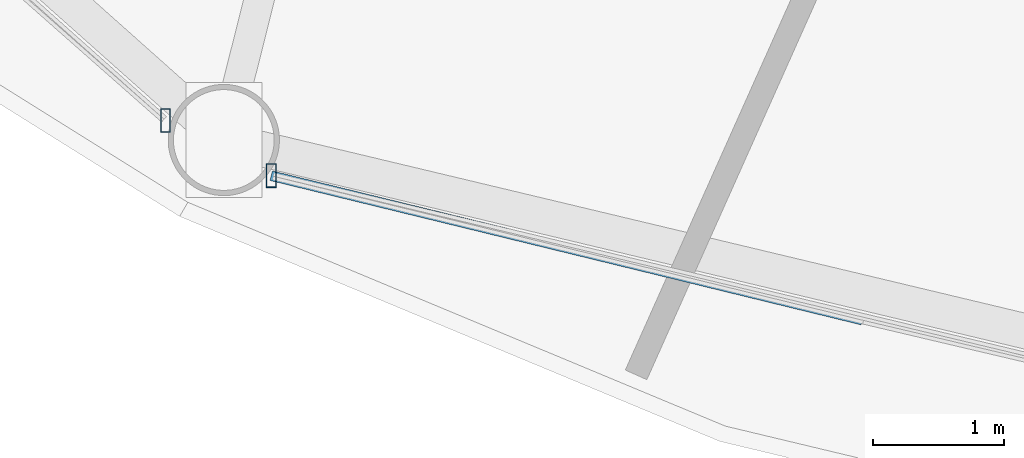
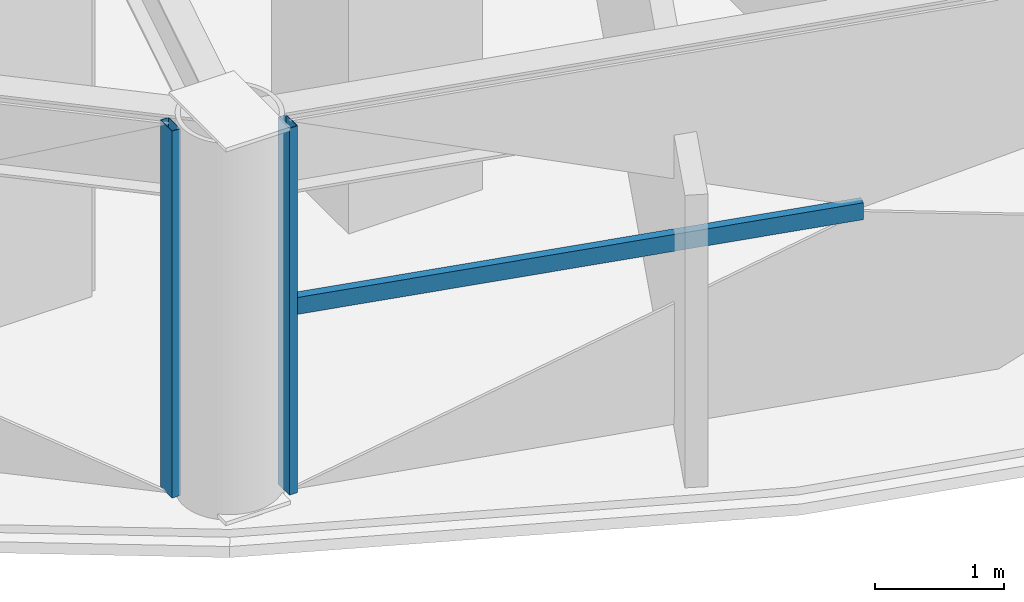
# One storey, part 2 of 31: 3 members, 2 elements without a shape of their own.
"""IFC4 building model written with IfcOpenShell, lengths in metres."""

import ifcopenshell
import ifcopenshell.guid

model = None  # the IFC model being written
_history = None  # IfcOwnerHistory: only IFC2X3 demands one
_inside = {}  # id of a spatial element -> (the spatial element, [elements in it])
_under = {}  # id of a project, library or spatial element -> (it, [spatial elements below it])
_declared = {}  # id of a project -> (the project, [libraries it declares])
_typed = {}  # id of a type object -> (the type object, [elements of that type])
_made_of = {}  # id of a material, layer set ... -> (it, [elements and type objects made of it])


def new_model(schema):
    """Start an empty IFC model of exactly this schema.

    Asked for "IFC4X3", IfcOpenShell would pick the latest addendum, in which some entities
    have other attributes; the version numbers below select the first issue.
    IFC2X3 requires an IfcOwnerHistory on every rooted entity: one is made here for all.
    """
    global model, _history
    if schema == "IFC4X3":
        model = ifcopenshell.file(schema_version=(4, 3, 0, 0))
    else:
        model = ifcopenshell.file(schema=schema)
    _inside.clear()
    _under.clear()
    _declared.clear()
    _typed.clear()
    _made_of.clear()
    _history = None
    if model.schema == "IFC2X3":
        org = make("IfcOrganization", Name="unknown")
        user = make(
            "IfcPersonAndOrganization",
            ThePerson=make("IfcPerson", FamilyName="unknown"),
            TheOrganization=org,
        )
        app = make(
            "IfcApplication",
            ApplicationDeveloper=org,
            Version="unknown",
            ApplicationFullName="unknown",
            ApplicationIdentifier="unknown",
        )
        _history = make(
            "IfcOwnerHistory",
            OwningUser=user,
            OwningApplication=app,
            ChangeAction="ADDED",
            CreationDate=0,
        )
    return model


def make(cls, **values):
    """One entity of the class cls with the attributes given. An attribute that is None is left unset."""
    return model.create_entity(
        cls, **{name: value for name, value in values.items() if value is not None}
    )


def rooted(cls, **values):
    """An entity with a GlobalId (a new one), such as an element, a storey or a relation."""
    return make(cls, GlobalId=ifcopenshell.guid.new(), OwnerHistory=_history, **values)


def si_unit(unit_type, name, prefix=None):
    """IfcSIUnit, for example si_unit("LENGTHUNIT", "METRE", prefix="MILLI")."""
    return make("IfcSIUnit", UnitType=unit_type, Prefix=prefix, Name=name)


def assignment(units):
    """IfcUnitAssignment: the units of a project."""
    return None if units is None else make("IfcUnitAssignment", Units=units)


def point(xyz):
    """IfcCartesianPoint."""
    return None if xyz is None else make("IfcCartesianPoint", Coordinates=xyz)


def direction(xyz):
    """IfcDirection."""
    return None if xyz is None else make("IfcDirection", DirectionRatios=xyz)


def frame(location, z_axis=None, x_axis=None):
    """IfcAxis2Placement3D, a coordinate frame: its origin and axes. An axis left out is left unset."""
    return make(
        "IfcAxis2Placement3D",
        Location=point(location),
        Axis=direction(z_axis),
        RefDirection=direction(x_axis),
    )


def frame_2d(location, x_axis=None):
    """IfcAxis2Placement2D, a coordinate frame in the plane: its origin and x axis."""
    return make(
        "IfcAxis2Placement2D", Location=point(location), RefDirection=direction(x_axis)
    )


def origin():
    """The frame at (0, 0, 0) with its axes left unset."""
    return frame((0.0, 0.0, 0.0))


def origin_2d():
    """The frame at (0, 0) in the plane with its x axis left unset."""
    return frame_2d((0.0, 0.0))


def place(relative_to, where):
    """IfcLocalPlacement: puts the frame where relative to a parent placement (None: the world)."""
    return make(
        "IfcLocalPlacement", PlacementRelTo=relative_to, RelativePlacement=where
    )


def context(
    kind, dimensions, precision=None, world=None, true_north=None, identifier=None
):
    """IfcGeometricRepresentationContext, for example the 3D "Model" context."""
    return make(
        "IfcGeometricRepresentationContext",
        ContextIdentifier=identifier,
        ContextType=kind,
        CoordinateSpaceDimension=dimensions,
        Precision=precision,
        WorldCoordinateSystem=world,
        TrueNorth=true_north,
    )


def subcontext(parent, identifier, kind, view, scale=None):
    """IfcGeometricRepresentationSubContext, for example "Body" below "Model"."""
    return make(
        "IfcGeometricRepresentationSubContext",
        ContextIdentifier=identifier,
        ContextType=kind,
        ParentContext=parent,
        TargetScale=scale,
        TargetView=view,
    )


def project(units=None, contexts=None):
    """IfcProject with its units and contexts."""
    return rooted(
        "IfcProject",
        Name="project",
        RepresentationContexts=contexts,
        UnitsInContext=assignment(units),
    )


def spatial(cls, under=None, at=None, **own):
    """A site, building, storey or space (cls), placed at a placement, below another one or the project."""
    s = rooted(cls, ObjectPlacement=at, **own)
    if under is not None:
        _under.setdefault(under.id(), (under, []))[1].append(s)
    return s


def profile(cls, at=None, kind="AREA", **sizes):
    """A parametric profile (cls). Its sizes go by their IFC names, for example OverallWidth=200.0."""
    return make(cls, ProfileType=kind, Position=at, **sizes)


def hollow_rectangle(**sizes):
    """IfcRectangleHollowProfileDef."""
    return profile("IfcRectangleHollowProfileDef", **sizes)


def extrude(swept, where, along, depth):
    """IfcExtrudedAreaSolid: the profile swept, set in the frame where, extruded along a direction by depth."""
    return make(
        "IfcExtrudedAreaSolid",
        SweptArea=swept,
        Position=where,
        ExtrudedDirection=direction(along),
        Depth=depth,
    )


def shape(context_of_items, identifier, shape_type, items):
    """IfcShapeRepresentation: the items that make up one representation, for example the "Body"."""
    return make(
        "IfcShapeRepresentation",
        ContextOfItems=context_of_items,
        RepresentationIdentifier=identifier,
        RepresentationType=shape_type,
        Items=items,
    )


def material(Name=None, Category=None):
    """IfcMaterial."""
    return make("IfcMaterial", Name=Name, Category=Category)


def layer(
    of_material, thickness, ventilated=None, Name=None, Category=None, Priority=None
):
    """IfcMaterialLayer: one layer of a wall or slab, of a material (None: an air gap)."""
    return make(
        "IfcMaterialLayer",
        Material=of_material,
        LayerThickness=thickness,
        IsVentilated=ventilated,
        Name=Name,
        Category=Category,
        Priority=Priority,
    )


def layer_set(layers, Name=None):
    """IfcMaterialLayerSet."""
    return make("IfcMaterialLayerSet", MaterialLayers=layers, LayerSetName=Name)


def material_profile(
    of_material, cross_section, Name=None, Category=None, Priority=None
):
    """IfcMaterialProfile: a cross section and its material."""
    return make(
        "IfcMaterialProfile",
        Name=Name,
        Material=of_material,
        Profile=cross_section,
        Priority=Priority,
        Category=Category,
    )


def profile_set(profiles, Name=None, composite=None):
    """IfcMaterialProfileSet."""
    return make(
        "IfcMaterialProfileSet",
        Name=Name,
        MaterialProfiles=profiles,
        CompositeProfile=composite,
    )


def made_of(thing, what):
    """Note that an element or type object is made of a material, layer set ...; save() writes the relation."""
    if what is not None:
        _made_of.setdefault(what.id(), (what, []))[1].append(thing)
    return thing


def type_object(cls, material=None, **own):
    """A type object (cls), such as IfcWallType, which elements share."""
    return made_of(rooted(cls, **own), material)


def element(
    cls,
    number,
    at=None,
    inside=None,
    cuts=None,
    type_object=None,
    material=None,
    context=None,
    identifier="Body",
    shape_type=None,
    held_by="IfcProductDefinitionShape",
    body=None,
    shapes=None,
    **own,
):
    """One element of the class cls, such as IfcWall. Its Tag is "e" and its number.

    at: its placement. inside: the storey or other place that contains it. cuts: it is an
    opening in that element (IfcRelVoidsElement). A single representation is given by context,
    identifier, shape_type and body (its items); several are given by shapes. held_by: the class
    of the entity that holds the representations. save() writes the other relations.
    """
    e = rooted(cls, Tag="e%d" % number, ObjectPlacement=at, **own)
    if body is not None:
        shapes = [shape(context, identifier, shape_type, body)]
    if shapes is not None:
        e.Representation = make(held_by, Representations=shapes)
    if inside is not None:
        _inside.setdefault(inside.id(), (inside, []))[1].append(e)
    if cuts is not None:
        rooted(
            "IfcRelVoidsElement", RelatingBuildingElement=cuts, RelatedOpeningElement=e
        )
    if type_object is not None:
        _typed.setdefault(type_object.id(), (type_object, []))[1].append(e)
    return made_of(e, material)


def aggregate(whole, parts):
    """IfcRelAggregates: a whole, such as a stair, and the parts it consists of."""
    return rooted("IfcRelAggregates", RelatingObject=whole, RelatedObjects=parts)


def save(model, path):
    """Write the relations noted so far, then the file.

    IfcRelAggregates (storeys below a building ...), IfcRelContainedInSpatialStructure (elements
    in a storey), IfcRelDefinesByType, IfcRelAssociatesMaterial and IfcRelDeclares: one each for
    every whole, place, type object, material and project.
    """
    for whole, parts in _under.values():
        aggregate(whole, parts)
    for where, things in _inside.values():
        rooted(
            "IfcRelContainedInSpatialStructure",
            RelatedElements=things,
            RelatingStructure=where,
        )
    for kind, things in _typed.values():
        rooted("IfcRelDefinesByType", RelatedObjects=things, RelatingType=kind)
    for what, things in _made_of.values():
        rooted("IfcRelAssociatesMaterial", RelatedObjects=things, RelatingMaterial=what)
    for by, libraries in _declared.values():
        rooted("IfcRelDeclares", RelatingContext=by, RelatedDefinitions=libraries)
    model.write(path)


model = new_model("IFC4")

# Units and contexts
model_context = context("Model", 3, precision=1e-05, world=origin(), true_north=direction((0.0, 1.0)))
body_context = subcontext(model_context, "Body", "Model", "MODEL_VIEW")
ifc_project = project(units=[si_unit("LENGTHUNIT", "METRE"), si_unit("AREAUNIT", "SQUARE_METRE"), si_unit("VOLUMEUNIT", "CUBIC_METRE"), si_unit("PLANEANGLEUNIT", "RADIAN"), si_unit("MASSUNIT", "GRAM", prefix="KILO")], contexts=[model_context])

# Site, building, storey
site_placement = place(None, origin())
site = spatial("IfcSite", under=ifc_project, at=site_placement, CompositionType="ELEMENT")
building_placement = place(site_placement, origin())
building = spatial("IfcBuilding", under=site, at=building_placement, Name="Vantalir Tower", CompositionType="ELEMENT")
storey_placement = place(building_placement, frame((0.0, 0.0, 30.75)))
storey = spatial("IfcBuildingStorey", under=building, at=storey_placement, Name="L06", CompositionType="ELEMENT", Elevation=30.75)

# Curtain wall, member
ifc_material_1 = material(Name="Champagne-silver PVDF aluminium and double-silver Low-E glass", Category="aluminium")
ifc_layer = layer(ifc_material_1, 0.18994140625)
ifc_layer_set = layer_set([ifc_layer], Name="Champagne-silver PVDF aluminium and double-silver Low-E glass")
curtain_wall_type = type_object("IfcCurtainWallType", Name="CW-DIAMOND-Z1", PredefinedType="USERDEFINED", material=ifc_layer_set)
curtain_wall_1_placement = place(storey_placement, origin())
curtain_wall_1 = element("IfcCurtainWall", 1, at=curtain_wall_1_placement, inside=storey, type_object=curtain_wall_type, Name="L06 Quilted Pyramid-Diamond Curtain Wall S08", ObjectType="UNITISED CURTAIN WALL", PredefinedType="USERDEFINED")
ifc_material_2 = material(Name="Champagne-silver PVDF aluminium 6063-T6", Category="aluminium")
ifc_material_profile_1 = material_profile(ifc_material_2, hollow_rectangle(XDim=0.074951171875, YDim=0.179931640625, WallThickness=0.00390625, at=origin_2d()), Name="Champagne-silver PVDF aluminium 6063-T6")
ifc_profile_set_1 = profile_set([ifc_material_profile_1], Name="Champagne-silver PVDF aluminium 6063-T6")
member_type_1 = type_object("IfcMemberType", Name="CWM-180x75", PredefinedType="MULLION", material=ifc_profile_set_1)
member_1_placement = place(storey_placement, frame((18.3291015625, 5.52099609375, 0.044921875), z_axis=(0.0, 0.0, 1.0), x_axis=(1.0, 0.0, 0.0)))
member_1 = element("IfcMember", 2, at=member_1_placement, type_object=member_type_1, Name="CW-L06-S08 Mullion 2", PredefinedType="MULLION", context=body_context, shape_type="SweptSolid", body=[
    extrude(hollow_rectangle(XDim=0.074951171875, YDim=0.179931640625, WallThickness=0.00390625, at=origin_2d()), origin(), (0.0, 0.0, 1.0), 3.47998046875),
])
aggregate(curtain_wall_1, [member_1])

# Curtain wall, members
curtain_wall_2_placement = place(storey_placement, origin())
curtain_wall_2 = element("IfcCurtainWall", 3, at=curtain_wall_2_placement, inside=storey, type_object=curtain_wall_type, Name="L06 Quilted Pyramid-Diamond Curtain Wall S09", ObjectType="UNITISED CURTAIN WALL", PredefinedType="USERDEFINED")
member_2_placement = place(storey_placement, frame((19.136962890625, 5.09912109375, 0.044921875), z_axis=(0.0, 0.0, 1.0), x_axis=(1.0, 0.0, 0.0)))
member_2 = element("IfcMember", 4, at=member_2_placement, type_object=member_type_1, Name="CW-L06-S09 Mullion 1", PredefinedType="MULLION", context=body_context, shape_type="SweptSolid", body=[
    extrude(hollow_rectangle(XDim=0.074951171875, YDim=0.179931640625, WallThickness=0.00390625, at=origin_2d()), origin(), (0.0, 0.0, 1.0), 3.47998046875),
])
ifc_material_profile_2 = material_profile(ifc_material_2, hollow_rectangle(XDim=0.074951171875, YDim=0.159912109375, WallThickness=0.00390625, at=origin_2d()), Name="Champagne-silver PVDF aluminium 6063-T6")
ifc_profile_set_2 = profile_set([ifc_material_profile_2], Name="Champagne-silver PVDF aluminium 6063-T6")
member_type_2 = type_object("IfcMemberType", Name="CWT-160x75", PredefinedType="USERDEFINED", material=ifc_profile_set_2)
member_3_placement = place(storey_placement, frame((19.136962890625, 5.09912109375, 1.784912109375), z_axis=(0.971444212501, -0.237268080445, 0.0), x_axis=(0.237268080445, 0.971444212501, 0.0)))
member_3 = element("IfcMember", 5, at=member_3_placement, type_object=member_type_2, Name="CW-L06-S09 Pyramid Fold Ridge Transom", ObjectType="TRANSOM", PredefinedType="USERDEFINED", context=body_context, shape_type="SweptSolid", body=[
    extrude(hollow_rectangle(XDim=0.074951171875, YDim=0.159912109375, WallThickness=0.00390625, at=origin_2d()), origin(), (0.0, 0.0, 1.0), 4.64892578125),
])
aggregate(curtain_wall_2, [member_2, member_3])

save(model, "model.ifc")
